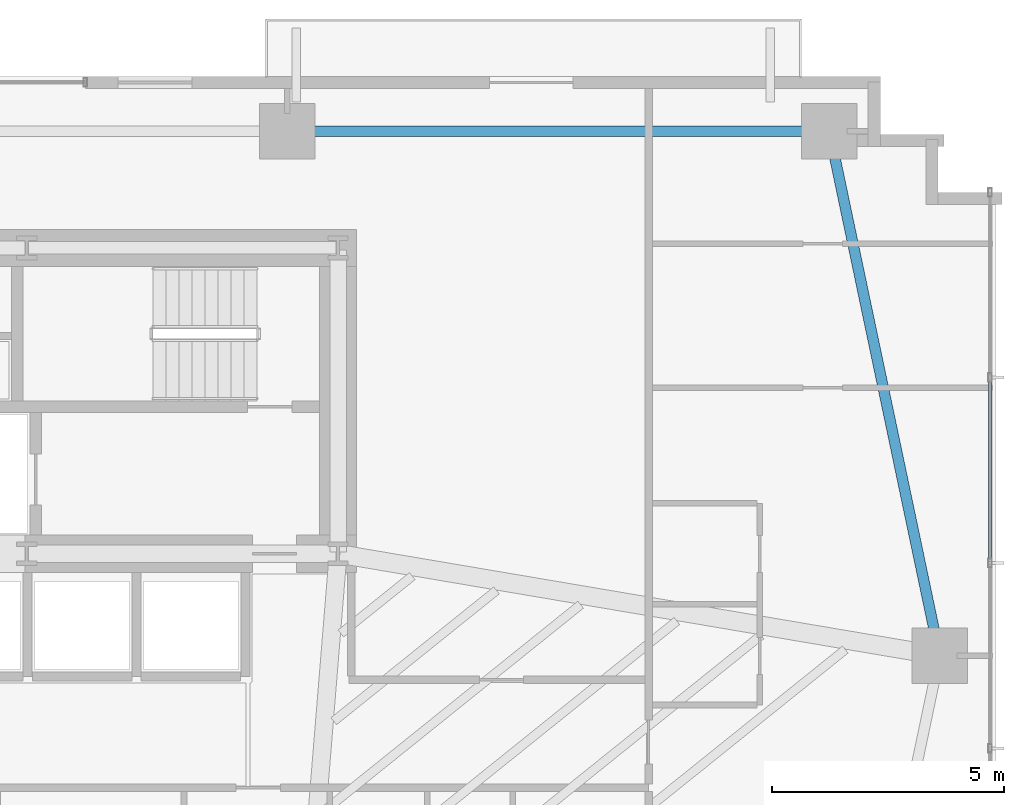
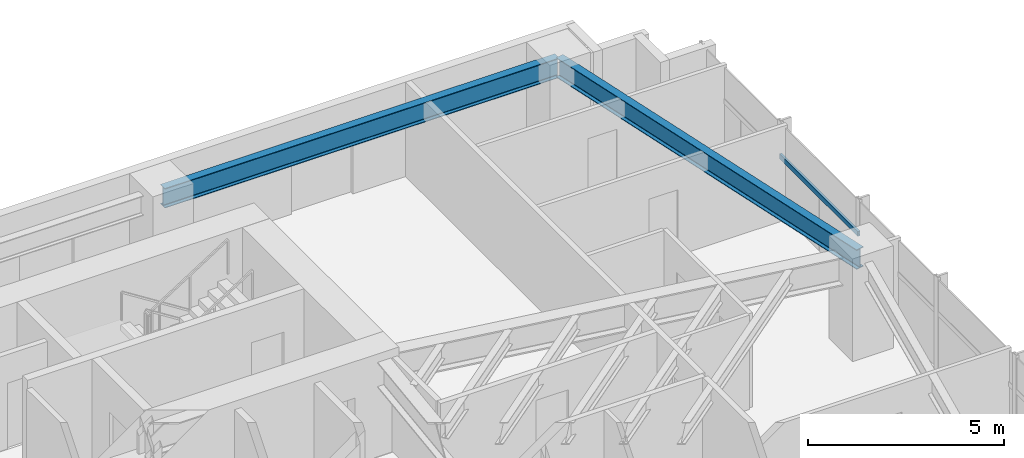
# One storey, part 16 of 25: 2 beams, 1 member, 1 element without a shape of its own.
"""IFC4 building model written with IfcOpenShell, lengths in metres."""

from ifc_helpers import new_model, si_unit, direction, frame, origin, origin_2d, place, context, subcontext, project, spatial, hollow_rectangle, i_section, extrude, source, transform, mapped, material, material_profile, profile_set, type_object, type_shapes, element, aggregate, save


model = new_model("IFC4")

# Units and contexts
model_context = context("Model", 3, precision=1e-05, world=origin(), true_north=direction((0.0, 1.0)))
body_context = subcontext(model_context, "Body", "Model", "MODEL_VIEW")
ifc_project = project(units=[si_unit("LENGTHUNIT", "METRE"), si_unit("AREAUNIT", "SQUARE_METRE"), si_unit("VOLUMEUNIT", "CUBIC_METRE"), si_unit("PLANEANGLEUNIT", "RADIAN"), si_unit("MASSUNIT", "GRAM", prefix="KILO")], contexts=[model_context])

# Site, building, storey
site_placement = place(None, origin())
site = spatial("IfcSite", under=ifc_project, at=site_placement, CompositionType="ELEMENT")
building_placement = place(site_placement, origin())
building = spatial("IfcBuilding", under=site, at=building_placement, Name="Astriad Promenade Condominiums", CompositionType="ELEMENT")
storey_placement = place(building_placement, frame((0.0, 0.0, 29.39990234375)))
storey = spatial("IfcBuildingStorey", under=building, at=storey_placement, Name="L07", CompositionType="ELEMENT", Elevation=29.39990234375)

# Beams
ifc_material_1 = material(Name="Steel ASTM A992 Grade 50", Category="steel")
ifc_material_profile_1 = material_profile(ifc_material_1, i_section(OverallWidth=0.22900390625, OverallDepth=0.612060546875, WebThickness=0.011962890625, FlangeThickness=0.01953125, FilletRadius=0.017822265625, at=origin_2d()), Name="W24X84")
ifc_profile_set_1 = profile_set([ifc_material_profile_1], Name="Steel ASTM A992 Grade 50")
beam_type = type_object("IfcBeamType", Name="STEEL SPANDREL BEAM W24X84", PredefinedType="SPANDREL", material=ifc_profile_set_1)
shared_shape_1 = source(origin(), body_context, "Body", "SweptSolid", [
    extrude(i_section(OverallWidth=0.22900390625, OverallDepth=0.612060546875, WebThickness=0.011962890625, FlangeThickness=0.01953125, FilletRadius=0.017822265625, at=origin_2d()), origin(), (0.0, 0.0, 1.0), 11.619873046875),
])
beam_1_placement = place(storey_placement, frame((56.159912109375, 26.52001953125, 2.634033203125), z_axis=(-1.0, 0.0, 0.0), x_axis=(0.0, -1.0, 0.0)))
element("IfcBeam", 1, at=beam_1_placement, inside=storey, type_object=beam_type, Name="Perimeter Spandrel Beam SP-N4-L07", PredefinedType="SPANDREL", context=body_context, shape_type="MappedRepresentation", body=[
    mapped(shared_shape_1, transform((0.0, 0.0, 0.0), scale=1.0)),
])
shared_shape_2 = source(origin(), body_context, "Body", "SweptSolid", [
    extrude(i_section(OverallWidth=0.22900390625, OverallDepth=0.612060546875, WebThickness=0.011962890625, FlangeThickness=0.01953125, FilletRadius=0.017822265625, at=origin_2d()), origin(), (0.0, 0.0, 1.0), 11.48779296875),
])
type_shapes(beam_type, [shared_shape_1, shared_shape_2])
beam_2_placement = place(storey_placement, frame((58.57177734375, 15.239013671875, 2.634033203125), z_axis=(-0.205743776427, 0.978605895374, 0.0), x_axis=(-0.978605895374, -0.205743776427, 0.0)))
element("IfcBeam", 2, at=beam_2_placement, inside=storey, type_object=beam_type, Name="Perimeter Spandrel Beam SP-E2-L07", PredefinedType="SPANDREL", context=body_context, shape_type="MappedRepresentation", body=[
    mapped(shared_shape_2, transform((0.0, 0.0, 0.0), scale=1.0)),
])

# Curtain wall, member
ifc_material_2 = material(Name="Anodised aluminium Black Dark Glass Unitised", Category="aluminium")
curtain_wall_type = type_object("IfcCurtainWallType", Name="CW-B1-DARK", PredefinedType="USERDEFINED", material=ifc_material_2)
curtain_wall_placement = place(storey_placement, origin())
curtain_wall = element("IfcCurtainWall", 3, at=curtain_wall_placement, inside=storey, type_object=curtain_wall_type, Name="CW-L07-E", ObjectType="UNITISED_CURTAIN_WALL", PredefinedType="USERDEFINED")
ifc_material_3 = material(Name="Anodised aluminium 6063-T6 Black", Category="aluminium")
ifc_material_profile_2 = material_profile(ifc_material_3, hollow_rectangle(XDim=0.074951171875, YDim=0.14990234375, WallThickness=0.004150390625, at=origin_2d()), Name="ALU-TRN-75X150")
ifc_profile_set_2 = profile_set([ifc_material_profile_2], Name="Anodised aluminium 6063-T6 Black")
member_type = type_object("IfcMemberType", Name="TRN-ALU-TRN-75X150", PredefinedType="USERDEFINED", material=ifc_profile_set_2)
shared_shape_3 = source(origin(), body_context, "Body", "SweptSolid", [
    extrude(hollow_rectangle(XDim=0.074951171875, YDim=0.14990234375, WallThickness=0.004150390625, at=origin_2d()), origin(), (0.0, 0.0, 1.0), 4.0),
])
type_shapes(member_type, [shared_shape_3])
member_placement = place(storey_placement, frame((59.669921875, 21.199951171875, 1.822998046875), z_axis=(0.0, -1.0, 0.0), x_axis=(1.0, 0.0, 0.0)))
member = element("IfcMember", 4, at=member_placement, type_object=member_type, Name="CW-L07-E-TRN-01-0", ObjectType="TRANSOM", PredefinedType="USERDEFINED", context=body_context, shape_type="MappedRepresentation", body=[
    mapped(shared_shape_3, transform((0.0, 0.0, 0.0), scale=1.0)),
])
aggregate(curtain_wall, [member])

save(model, "model.ifc")
